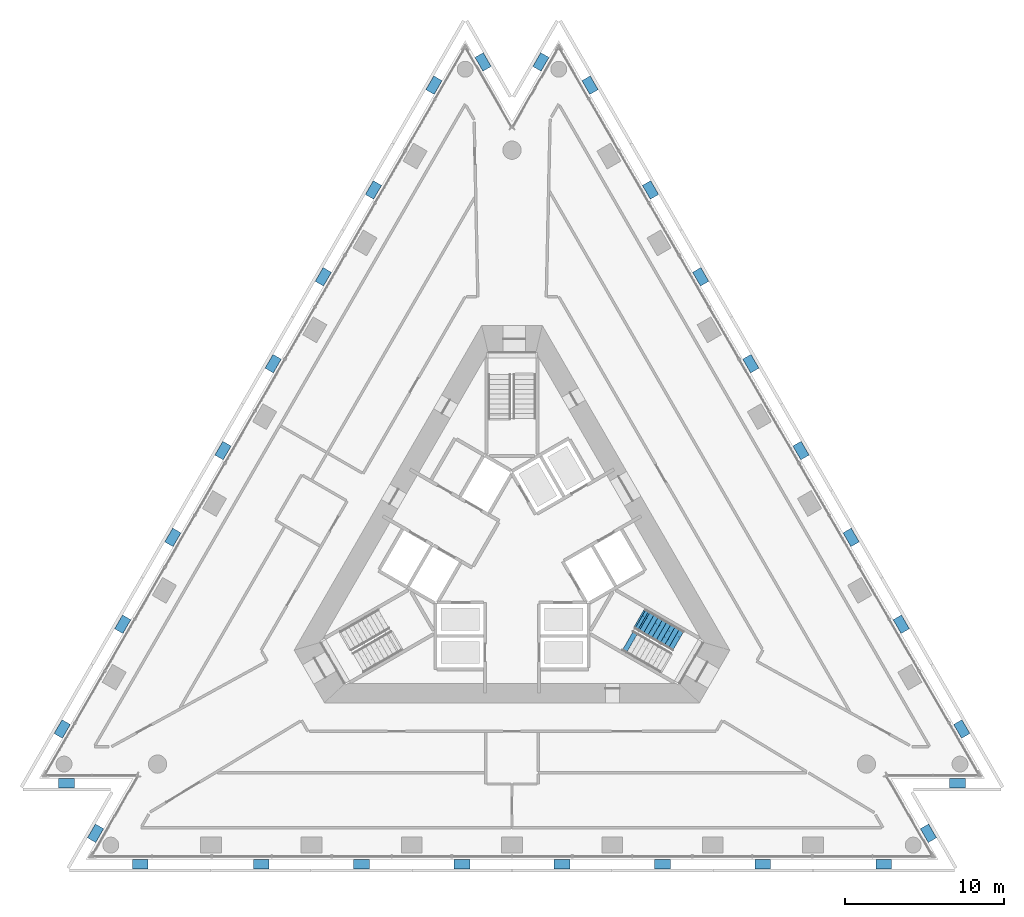
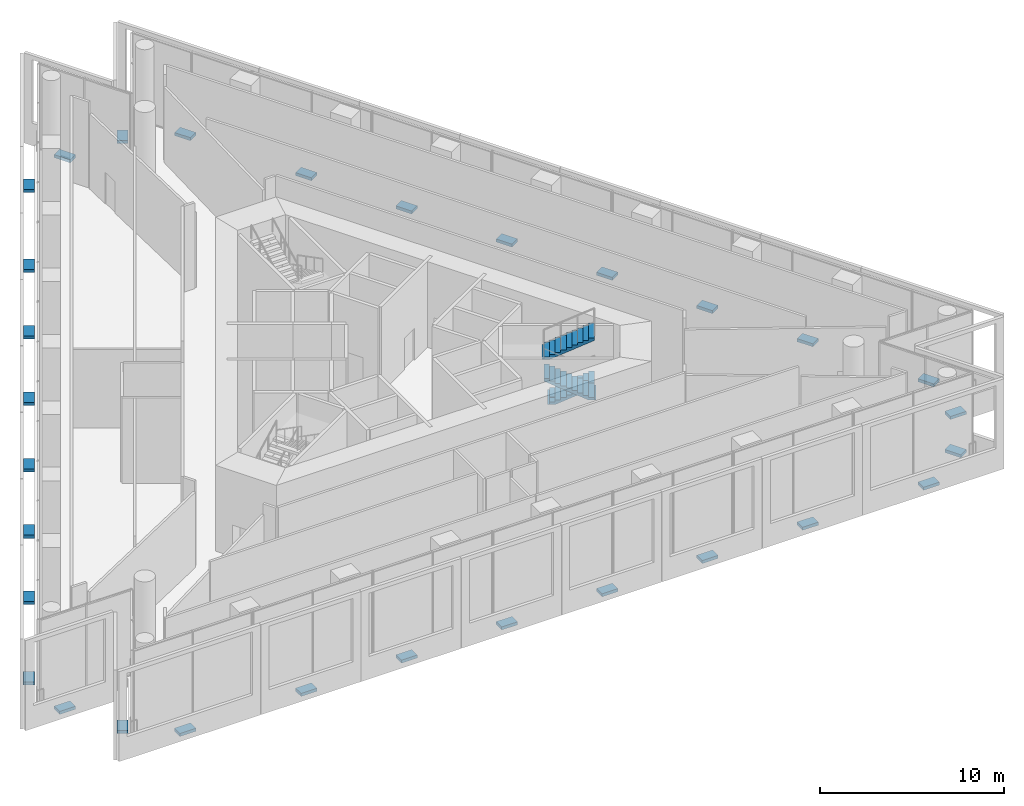
# One storey, part 14 of 18: 30 discrete accessories, 3 stair flights, 1 element without a shape of its own.
"""IFC4 building model written with IfcOpenShell, lengths in metres."""

from ifc_helpers import new_model, si_unit, direction, frame, origin, origin_2d, place, context, subcontext, project, spatial, polyline, rectangle, outline, extrude, material, type_object, element, aggregate, save


model = new_model("IFC4")

# Units and contexts
model_context = context("Model", 3, precision=1e-05, world=origin(), true_north=direction((0.0, 1.0)))
body_context = subcontext(model_context, "Body", "Model", "MODEL_VIEW")
ifc_project = project(units=[si_unit("LENGTHUNIT", "METRE"), si_unit("AREAUNIT", "SQUARE_METRE"), si_unit("VOLUMEUNIT", "CUBIC_METRE"), si_unit("PLANEANGLEUNIT", "RADIAN"), si_unit("MASSUNIT", "GRAM", prefix="KILO")], contexts=[model_context])

# Site, building, storey
site_placement = place(None, origin())
site = spatial("IfcSite", under=ifc_project, at=site_placement, CompositionType="ELEMENT")
building_placement = place(site_placement, origin())
building = spatial("IfcBuilding", under=site, at=building_placement, Name="Triada Interchange Tower", CompositionType="ELEMENT")
storey_placement = place(building_placement, frame((0.0, 0.0, 185.300048828125)))
storey = spatial("IfcBuildingStorey", under=building, at=storey_placement, Name="L43", CompositionType="ELEMENT", Elevation=185.300048828125)

# Stair, stair flights
ifc_material_1 = material(Name="Concrete C35/45", Category="concrete")
stair_type = type_object("IfcStairType", Name="HALF TURN STAIR 1400", PredefinedType="HALF_TURN_STAIR", material=ifc_material_1)
stair_placement = place(storey_placement, origin())
stair = element("IfcStair", 1, at=stair_placement, inside=storey, type_object=stair_type, Name="Exit stair S43-3", PredefinedType="HALF_TURN_STAIR")
stair_flight_type = type_object("IfcStairFlightType", Name="STRAIGHT STAIR FLIGHT 1400", PredefinedType="STRAIGHT", material=ifc_material_1)
stair_flight_1_placement = place(storey_placement, frame((8.3330078125, -3.886962890625, 1.4208984375), z_axis=(0.0, 0.0, 1.0), x_axis=(0.866025403784, -0.5, 0.0)))
stair_flight_1 = element("IfcStairFlight", 2, at=stair_flight_1_placement, type_object=stair_flight_type, Name="S43-3 flight 2", NumberOfRisers=9, NumberOfTreads=8, PredefinedType="STRAIGHT", RiserHeight=0.15789, TreadLength=0.305, context=body_context, shape_type="SweptSolid", body=[
    extrude(outline(polyline([(-0.10009765625, 0.0), (-0.10009765625, 0.02001953125), (0.0, 0.02001953125), (0.0, 0.157958984375), (0.304931640625, 0.157958984375), (0.304931640625, 0.315673828125), (0.610107421875, 0.315673828125), (0.610107421875, 0.4736328125), (0.9150390625, 0.4736328125), (0.9150390625, 0.631591796875), (1.219970703125, 0.631591796875), (1.219970703125, 0.78955078125), (1.52490234375, 0.78955078125), (1.52490234375, 0.947265625), (1.830078125, 0.947265625), (1.830078125, 1.105224609375), (2.135009765625, 1.105224609375), (2.135009765625, 1.26318359375), (2.43994140625, 1.26318359375), (2.444091796875, 1.26318359375), (2.444091796875, 1.4208984375), (2.444091796875, 1.09423828125), (0.326171875, 0.0), (-0.10009765625, 0.0)])), frame((0.0, 0.699951171875, 0.0), z_axis=(0.0, -1.0, 0.0), x_axis=(1.0, 0.0, 0.0)), (0.0, 0.0, 1.0), 0.46533203125),
    extrude(outline(polyline([(-0.10009765625, 0.0), (-0.10009765625, 0.02001953125), (0.0, 0.02001953125), (0.0, 0.157958984375), (0.304931640625, 0.157958984375), (0.304931640625, 0.315673828125), (0.610107421875, 0.315673828125), (0.610107421875, 0.4736328125), (0.9150390625, 0.4736328125), (0.9150390625, 0.631591796875), (1.219970703125, 0.631591796875), (1.219970703125, 0.78955078125), (1.52490234375, 0.78955078125), (1.52490234375, 0.947265625), (1.830078125, 0.947265625), (1.830078125, 1.105224609375), (2.135009765625, 1.105224609375), (2.135009765625, 1.26318359375), (2.43994140625, 1.26318359375), (2.444091796875, 1.26318359375), (2.444091796875, 1.4208984375), (2.444091796875, 1.09423828125), (0.326171875, 0.0), (-0.10009765625, 0.0)])), frame((0.0, 0.232666015625, 0.0), z_axis=(0.0, -1.0, 0.0), x_axis=(1.0, 0.0, 0.0)), (0.0, 0.0, 1.0), 0.46533203125),
    extrude(outline(polyline([(-0.10009765625, 0.0), (-0.10009765625, 0.02001953125), (0.0, 0.02001953125), (0.0, 0.157958984375), (0.304931640625, 0.157958984375), (0.304931640625, 0.315673828125), (0.610107421875, 0.315673828125), (0.610107421875, 0.4736328125), (0.9150390625, 0.4736328125), (0.9150390625, 0.631591796875), (1.219970703125, 0.631591796875), (1.219970703125, 0.78955078125), (1.52490234375, 0.78955078125), (1.52490234375, 0.947265625), (1.830078125, 0.947265625), (1.830078125, 1.105224609375), (2.135009765625, 1.105224609375), (2.135009765625, 1.26318359375), (2.43994140625, 1.26318359375), (2.444091796875, 1.26318359375), (2.444091796875, 1.4208984375), (2.444091796875, 1.09423828125), (0.326171875, 0.0), (-0.10009765625, 0.0)])), frame((0.0, -0.234619140625, 0.0), z_axis=(0.0, -1.0, 0.0), x_axis=(1.0, 0.0, 0.0)), (0.0, 0.0, 1.0), 0.46533203125),
])
stair_flight_2_placement = place(storey_placement, frame((9.64599609375, -6.492919921875, 2.842041015625), z_axis=(0.0, 0.0, 1.0), x_axis=(-0.866025403784, 0.5, 0.0)))
stair_flight_2 = element("IfcStairFlight", 3, at=stair_flight_2_placement, type_object=stair_flight_type, Name="S43-3 flight 3", NumberOfRisers=10, NumberOfTreads=9, PredefinedType="STRAIGHT", RiserHeight=0.15789, TreadLength=0.305, context=body_context, shape_type="SweptSolid", body=[
    extrude(outline(polyline([(-0.10009765625, 0.0), (-0.10009765625, 0.02001953125), (0.0, 0.02001953125), (0.0, 0.157958984375), (0.304931640625, 0.157958984375), (0.304931640625, 0.315673828125), (0.610107421875, 0.315673828125), (0.610107421875, 0.4736328125), (0.9150390625, 0.4736328125), (0.9150390625, 0.631591796875), (1.219970703125, 0.631591796875), (1.219970703125, 0.78955078125), (1.52490234375, 0.78955078125), (1.52490234375, 0.947265625), (1.830078125, 0.947265625), (1.830078125, 1.105224609375), (2.135009765625, 1.105224609375), (2.135009765625, 1.26318359375), (2.43994140625, 1.26318359375), (2.43994140625, 1.4208984375), (2.7451171875, 1.4208984375), (2.7490234375, 1.4208984375), (2.7490234375, 1.578857421875), (2.7490234375, 1.252197265625), (0.326171875, 0.0), (-0.10009765625, 0.0)])), frame((0.0, 0.699951171875, 0.0), z_axis=(0.0, -1.0, 0.0), x_axis=(1.0, 0.0, 0.0)), (0.0, 0.0, 1.0), 0.46533203125),
    extrude(outline(polyline([(-0.10009765625, 0.0), (-0.10009765625, 0.02001953125), (0.0, 0.02001953125), (0.0, 0.157958984375), (0.304931640625, 0.157958984375), (0.304931640625, 0.315673828125), (0.610107421875, 0.315673828125), (0.610107421875, 0.4736328125), (0.9150390625, 0.4736328125), (0.9150390625, 0.631591796875), (1.219970703125, 0.631591796875), (1.219970703125, 0.78955078125), (1.52490234375, 0.78955078125), (1.52490234375, 0.947265625), (1.830078125, 0.947265625), (1.830078125, 1.105224609375), (2.135009765625, 1.105224609375), (2.135009765625, 1.26318359375), (2.43994140625, 1.26318359375), (2.43994140625, 1.4208984375), (2.7451171875, 1.4208984375), (2.7490234375, 1.4208984375), (2.7490234375, 1.578857421875), (2.7490234375, 1.252197265625), (0.326171875, 0.0), (-0.10009765625, 0.0)])), frame((0.0, 0.232666015625, 0.0), z_axis=(0.0, -1.0, 0.0), x_axis=(1.0, 0.0, 0.0)), (0.0, 0.0, 1.0), 0.46533203125),
    extrude(outline(polyline([(-0.10009765625, 0.0), (-0.10009765625, 0.02001953125), (0.0, 0.02001953125), (0.0, 0.157958984375), (0.304931640625, 0.157958984375), (0.304931640625, 0.315673828125), (0.610107421875, 0.315673828125), (0.610107421875, 0.4736328125), (0.9150390625, 0.4736328125), (0.9150390625, 0.631591796875), (1.219970703125, 0.631591796875), (1.219970703125, 0.78955078125), (1.52490234375, 0.78955078125), (1.52490234375, 0.947265625), (1.830078125, 0.947265625), (1.830078125, 1.105224609375), (2.135009765625, 1.105224609375), (2.135009765625, 1.26318359375), (2.43994140625, 1.26318359375), (2.43994140625, 1.4208984375), (2.7451171875, 1.4208984375), (2.7490234375, 1.4208984375), (2.7490234375, 1.578857421875), (2.7490234375, 1.252197265625), (0.326171875, 0.0), (-0.10009765625, 0.0)])), frame((0.0, -0.234619140625, 0.0), z_axis=(0.0, -1.0, 0.0), x_axis=(1.0, 0.0, 0.0)), (0.0, 0.0, 1.0), 0.46533203125),
])
stair_flight_3_placement = place(storey_placement, frame((8.069091796875, -3.735107421875, 4.4208984375), z_axis=(0.0, 0.0, 1.0), x_axis=(0.866025403784, -0.5, 0.0)))
stair_flight_3 = element("IfcStairFlight", 4, at=stair_flight_3_placement, type_object=stair_flight_type, Name="S43-3 flight 4", NumberOfRisers=10, NumberOfTreads=9, PredefinedType="STRAIGHT", RiserHeight=0.15789, TreadLength=0.305, context=body_context, shape_type="SweptSolid", body=[
    extrude(outline(polyline([(-0.10009765625, 0.0), (-0.10009765625, 0.02001953125), (0.0, 0.02001953125), (0.0, 0.157958984375), (0.304931640625, 0.157958984375), (0.304931640625, 0.315673828125), (0.610107421875, 0.315673828125), (0.610107421875, 0.4736328125), (0.9150390625, 0.4736328125), (0.9150390625, 0.631591796875), (1.219970703125, 0.631591796875), (1.219970703125, 0.78955078125), (1.52490234375, 0.78955078125), (1.52490234375, 0.947265625), (1.830078125, 0.947265625), (1.830078125, 1.105224609375), (2.135009765625, 1.105224609375), (2.135009765625, 1.26318359375), (2.43994140625, 1.26318359375), (2.43994140625, 1.4208984375), (2.7451171875, 1.4208984375), (2.7490234375, 1.4208984375), (2.7490234375, 1.578857421875), (2.7490234375, 1.252197265625), (0.326171875, 0.0), (-0.10009765625, 0.0)])), frame((0.0, 0.699951171875, 0.0), z_axis=(0.0, -1.0, 0.0), x_axis=(1.0, 0.0, 0.0)), (0.0, 0.0, 1.0), 0.46533203125),
    extrude(outline(polyline([(-0.10009765625, 0.0), (-0.10009765625, 0.02001953125), (0.0, 0.02001953125), (0.0, 0.157958984375), (0.304931640625, 0.157958984375), (0.304931640625, 0.315673828125), (0.610107421875, 0.315673828125), (0.610107421875, 0.4736328125), (0.9150390625, 0.4736328125), (0.9150390625, 0.631591796875), (1.219970703125, 0.631591796875), (1.219970703125, 0.78955078125), (1.52490234375, 0.78955078125), (1.52490234375, 0.947265625), (1.830078125, 0.947265625), (1.830078125, 1.105224609375), (2.135009765625, 1.105224609375), (2.135009765625, 1.26318359375), (2.43994140625, 1.26318359375), (2.43994140625, 1.4208984375), (2.7451171875, 1.4208984375), (2.7490234375, 1.4208984375), (2.7490234375, 1.578857421875), (2.7490234375, 1.252197265625), (0.326171875, 0.0), (-0.10009765625, 0.0)])), frame((0.0, 0.232666015625, 0.0), z_axis=(0.0, -1.0, 0.0), x_axis=(1.0, 0.0, 0.0)), (0.0, 0.0, 1.0), 0.46533203125),
    extrude(outline(polyline([(-0.10009765625, 0.0), (-0.10009765625, 0.02001953125), (0.0, 0.02001953125), (0.0, 0.157958984375), (0.304931640625, 0.157958984375), (0.304931640625, 0.315673828125), (0.610107421875, 0.315673828125), (0.610107421875, 0.4736328125), (0.9150390625, 0.4736328125), (0.9150390625, 0.631591796875), (1.219970703125, 0.631591796875), (1.219970703125, 0.78955078125), (1.52490234375, 0.78955078125), (1.52490234375, 0.947265625), (1.830078125, 0.947265625), (1.830078125, 1.105224609375), (2.135009765625, 1.105224609375), (2.135009765625, 1.26318359375), (2.43994140625, 1.26318359375), (2.43994140625, 1.4208984375), (2.7451171875, 1.4208984375), (2.7490234375, 1.4208984375), (2.7490234375, 1.578857421875), (2.7490234375, 1.252197265625), (0.326171875, 0.0), (-0.10009765625, 0.0)])), frame((0.0, -0.234619140625, 0.0), z_axis=(0.0, -1.0, 0.0), x_axis=(1.0, 0.0, 0.0)), (0.0, 0.0, 1.0), 0.46533203125),
])
aggregate(stair, [stair_flight_1, stair_flight_2, stair_flight_3])

# Discrete accessories
ifc_material_2 = material(Name="Steel S355", Category="steel")
discrete_accessory_type = type_object("IfcDiscreteAccessoryType", Name="Steel bracket outer skin", PredefinedType="BRACKET", material=ifc_material_2)
for number, where, z_axis, x_axis, name in (
    (5, (-4.902099609375, 29.7919921875, -0.419921875), (0.0, 0.0, 1.0), (-0.866022227268, 0.500005501848, 0.0), "Bracket L43 01"),
    (6, (-8.700927734375, 23.2109375, -0.419921875), (0.0, 0.0, 1.0), (-0.866022227268, 0.500005501848, 0.0), "Bracket L43 02"),
    (7, (-11.85205078125, 17.7548828125, -0.419921875), (0.0, 0.0, 1.0), (-0.866022227268, 0.500005501848, 0.0), "Bracket L43 03"),
    (8, (-15.001953125, 12.299072265625, -0.419921875), (0.0, 0.0, 1.0), (-0.866022227268, 0.500005501848, 0.0), "Bracket L43 04"),
    (9, (-18.152099609375, 6.842041015625, -0.419921875), (0.0, 0.0, 1.0), (-0.866022227268, 0.500005501848, 0.0), "Bracket L43 05"),
    (10, (-21.302001953125, 1.385986328125, -0.419921875), (0.0, 0.0, 1.0), (-0.866022227268, 0.500005501848, 0.0), "Bracket L43 06"),
    (11, (-24.451904296875, -4.070068359375, -0.419921875), (0.0, 0.0, 1.0), (-0.866022227268, 0.500005501848, 0.0), "Bracket L43 07"),
    (12, (-28.251953125, -10.65087890625, -0.419921875), (0.0, 0.0, 1.0), (-0.866022227268, 0.500005501848, 0.0), "Bracket L43 08"),
    (13, (-27.971923828125, -14.053955078125, -0.419921875), (0.0, 0.0, 1.0), (0.0, -1.0, 0.0), "Bracket L43 09"),
    (14, (-26.157958984375, -17.197998046875, -0.419921875), (0.0, 0.0, 1.0), (-0.866023990064, 0.500002448627, 0.0), "Bracket L43 10"),
    (15, (-23.35009765625, -19.14111328125, -0.419921875), (0.0, 0.0, 1.0), (0.0, -1.0, 0.0), "Bracket L43 11"),
    (16, (-15.7509765625, -19.14111328125, -0.419921875), (0.0, 0.0, 1.0), (0.0, -1.0, 0.0), "Bracket L43 12"),
    (17, (-9.449951171875, -19.14111328125, -0.419921875), (0.0, 0.0, 1.0), (0.0, -1.0, 0.0), "Bracket L43 13"),
    (18, (-3.14990234375, -19.14111328125, -0.419921875), (0.0, 0.0, 1.0), (0.0, -1.0, 0.0), "Bracket L43 14"),
    (19, (3.14990234375, -19.14111328125, -0.419921875), (0.0, 0.0, 1.0), (0.0, -1.0, 0.0), "Bracket L43 15"),
    (20, (9.449951171875, -19.14111328125, -0.419921875), (0.0, 0.0, 1.0), (0.0, -1.0, 0.0), "Bracket L43 16"),
    (21, (15.7509765625, -19.14111328125, -0.419921875), (0.0, 0.0, 1.0), (0.0, -1.0, 0.0), "Bracket L43 17"),
    (22, (23.35009765625, -19.14111328125, -0.419921875), (0.0, 0.0, 1.0), (0.0, -1.0, 0.0), "Bracket L43 18"),
    (23, (26.157958984375, -17.197998046875, -0.419921875), (0.0, 0.0, 1.0), (0.866023990064, 0.500002448627, 0.0), "Bracket L43 19"),
    (24, (27.971923828125, -14.053955078125, -0.419921875), (0.0, 0.0, 1.0), (0.0, -1.0, 0.0), "Bracket L43 20"),
    (25, (28.251953125, -10.65087890625, -0.419921875), (0.0, 0.0, 1.0), (0.866022227268, 0.500005501848, 0.0), "Bracket L43 21"),
    (26, (24.451904296875, -4.070068359375, -0.419921875), (0.0, 0.0, 1.0), (0.866022227268, 0.500005501848, 0.0), "Bracket L43 22"),
    (27, (21.302001953125, 1.385986328125, -0.419921875), (0.0, 0.0, 1.0), (0.866022227268, 0.500005501848, 0.0), "Bracket L43 23"),
    (28, (18.152099609375, 6.842041015625, -0.419921875), (0.0, 0.0, 1.0), (0.866022227268, 0.500005501848, 0.0), "Bracket L43 24"),
    (29, (15.001953125, 12.299072265625, -0.419921875), (0.0, 0.0, 1.0), (0.866022227268, 0.500005501848, 0.0), "Bracket L43 25"),
    (30, (11.85205078125, 17.7548828125, -0.419921875), (0.0, 0.0, 1.0), (0.866022227268, 0.500005501848, 0.0), "Bracket L43 26"),
    (31, (8.700927734375, 23.2109375, -0.419921875), (0.0, 0.0, 1.0), (0.866022227268, 0.500005501848, 0.0), "Bracket L43 27"),
    (32, (4.902099609375, 29.7919921875, -0.419921875), (0.0, 0.0, 1.0), (0.866022227268, 0.500005501848, 0.0), "Bracket L43 28"),
    (33, (1.81494140625, 31.2509765625, -0.419921875), (0.0, 0.0, 1.0), (-0.866023990064, 0.500002448627, 0.0), "Bracket L43 29"),
    (34, (-1.81494140625, 31.2509765625, -0.419921875), (0.0, 0.0, 1.0), (0.866023990064, 0.500002448627, 0.0), "Bracket L43 30"),
):
    element("IfcDiscreteAccessory", number, at=place(storey_placement, frame(where, z_axis=z_axis, x_axis=x_axis)), inside=storey, type_object=discrete_accessory_type, Name=name, PredefinedType="BRACKET", context=body_context, shape_type="SweptSolid", body=[
        extrude(rectangle(XDim=0.60009765625, YDim=1.0, at=origin_2d()), origin(), (0.0, 0.0, 1.0), 0.199951171875),
    ])

save(model, "model.ifc")
